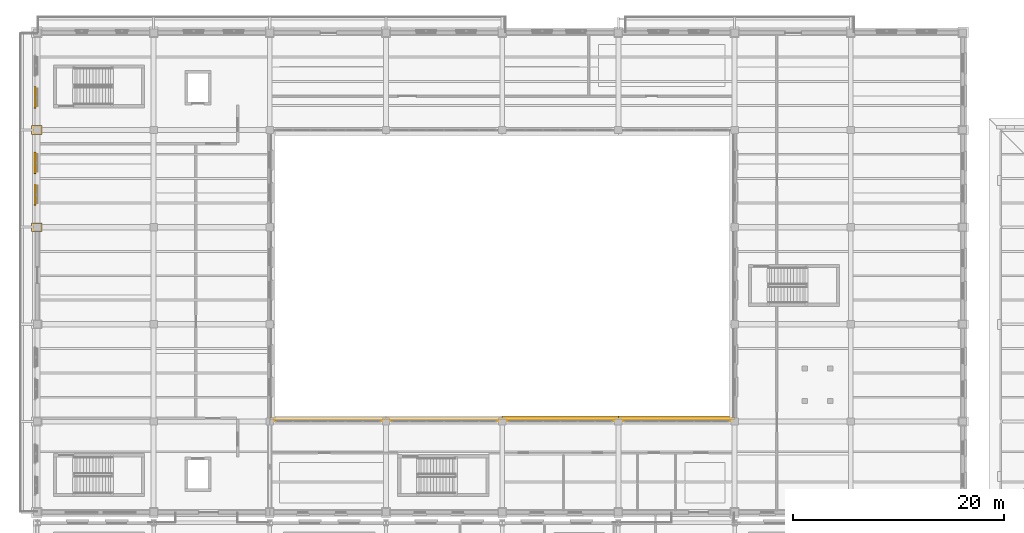
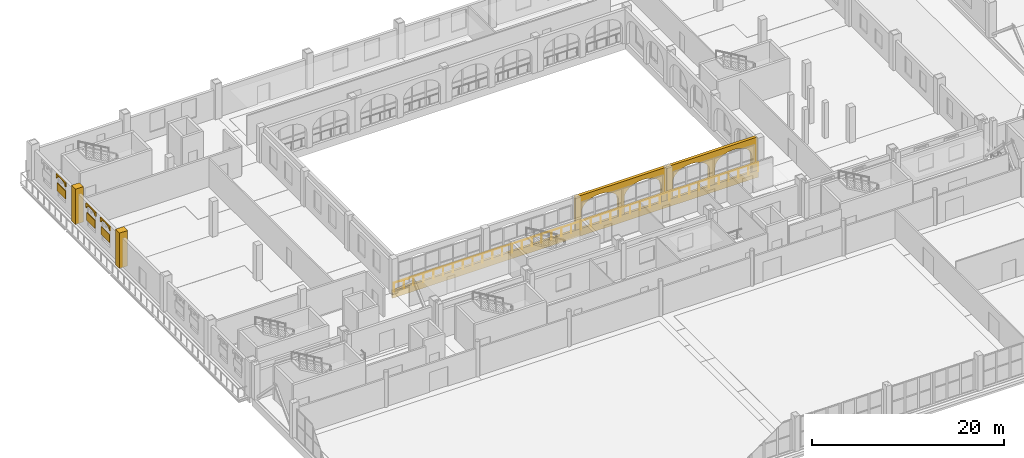
# One storey, part 139 of 156: 8 coverings, 3 shading devices, 1 railing.
"""IFC4 building model written with IfcOpenShell, lengths in metres."""

import ifcopenshell
import ifcopenshell.guid

model = None  # the IFC model being written
_history = None  # IfcOwnerHistory: only IFC2X3 demands one
_inside = {}  # id of a spatial element -> (the spatial element, [elements in it])
_under = {}  # id of a project, library or spatial element -> (it, [spatial elements below it])
_declared = {}  # id of a project -> (the project, [libraries it declares])
_typed = {}  # id of a type object -> (the type object, [elements of that type])
_made_of = {}  # id of a material, layer set ... -> (it, [elements and type objects made of it])


def new_model(schema):
    """Start an empty IFC model of exactly this schema.

    Asked for "IFC4X3", IfcOpenShell would pick the latest addendum, in which some entities
    have other attributes; the version numbers below select the first issue.
    IFC2X3 requires an IfcOwnerHistory on every rooted entity: one is made here for all.
    """
    global model, _history
    if schema == "IFC4X3":
        model = ifcopenshell.file(schema_version=(4, 3, 0, 0))
    else:
        model = ifcopenshell.file(schema=schema)
    _inside.clear()
    _under.clear()
    _declared.clear()
    _typed.clear()
    _made_of.clear()
    _history = None
    if model.schema == "IFC2X3":
        org = make("IfcOrganization", Name="unknown")
        user = make(
            "IfcPersonAndOrganization",
            ThePerson=make("IfcPerson", FamilyName="unknown"),
            TheOrganization=org,
        )
        app = make(
            "IfcApplication",
            ApplicationDeveloper=org,
            Version="unknown",
            ApplicationFullName="unknown",
            ApplicationIdentifier="unknown",
        )
        _history = make(
            "IfcOwnerHistory",
            OwningUser=user,
            OwningApplication=app,
            ChangeAction="ADDED",
            CreationDate=0,
        )
    return model


def make(cls, **values):
    """One entity of the class cls with the attributes given. An attribute that is None is left unset."""
    return model.create_entity(
        cls, **{name: value for name, value in values.items() if value is not None}
    )


def rooted(cls, **values):
    """An entity with a GlobalId (a new one), such as an element, a storey or a relation."""
    return make(cls, GlobalId=ifcopenshell.guid.new(), OwnerHistory=_history, **values)


def si_unit(unit_type, name, prefix=None):
    """IfcSIUnit, for example si_unit("LENGTHUNIT", "METRE", prefix="MILLI")."""
    return make("IfcSIUnit", UnitType=unit_type, Prefix=prefix, Name=name)


def assignment(units):
    """IfcUnitAssignment: the units of a project."""
    return None if units is None else make("IfcUnitAssignment", Units=units)


def point(xyz):
    """IfcCartesianPoint."""
    return None if xyz is None else make("IfcCartesianPoint", Coordinates=xyz)


def direction(xyz):
    """IfcDirection."""
    return None if xyz is None else make("IfcDirection", DirectionRatios=xyz)


def frame(location, z_axis=None, x_axis=None):
    """IfcAxis2Placement3D, a coordinate frame: its origin and axes. An axis left out is left unset."""
    return make(
        "IfcAxis2Placement3D",
        Location=point(location),
        Axis=direction(z_axis),
        RefDirection=direction(x_axis),
    )


def frame_2d(location, x_axis=None):
    """IfcAxis2Placement2D, a coordinate frame in the plane: its origin and x axis."""
    return make(
        "IfcAxis2Placement2D", Location=point(location), RefDirection=direction(x_axis)
    )


def origin():
    """The frame at (0, 0, 0) with its axes left unset."""
    return frame((0.0, 0.0, 0.0))


def origin_2d():
    """The frame at (0, 0) in the plane with its x axis left unset."""
    return frame_2d((0.0, 0.0))


def place(relative_to, where):
    """IfcLocalPlacement: puts the frame where relative to a parent placement (None: the world)."""
    return make(
        "IfcLocalPlacement", PlacementRelTo=relative_to, RelativePlacement=where
    )


def context(
    kind, dimensions, precision=None, world=None, true_north=None, identifier=None
):
    """IfcGeometricRepresentationContext, for example the 3D "Model" context."""
    return make(
        "IfcGeometricRepresentationContext",
        ContextIdentifier=identifier,
        ContextType=kind,
        CoordinateSpaceDimension=dimensions,
        Precision=precision,
        WorldCoordinateSystem=world,
        TrueNorth=true_north,
    )


def subcontext(parent, identifier, kind, view, scale=None):
    """IfcGeometricRepresentationSubContext, for example "Body" below "Model"."""
    return make(
        "IfcGeometricRepresentationSubContext",
        ContextIdentifier=identifier,
        ContextType=kind,
        ParentContext=parent,
        TargetScale=scale,
        TargetView=view,
    )


def project(units=None, contexts=None):
    """IfcProject with its units and contexts."""
    return rooted(
        "IfcProject",
        Name="project",
        RepresentationContexts=contexts,
        UnitsInContext=assignment(units),
    )


def spatial(cls, under=None, at=None, **own):
    """A site, building, storey or space (cls), placed at a placement, below another one or the project."""
    s = rooted(cls, ObjectPlacement=at, **own)
    if under is not None:
        _under.setdefault(under.id(), (under, []))[1].append(s)
    return s


def polyline(points):
    """IfcPolyline through the points."""
    return make("IfcPolyline", Points=[point(p) for p in points])


def profile(cls, at=None, kind="AREA", **sizes):
    """A parametric profile (cls). Its sizes go by their IFC names, for example OverallWidth=200.0."""
    return make(cls, ProfileType=kind, Position=at, **sizes)


def rectangle(**sizes):
    """IfcRectangleProfileDef."""
    return profile("IfcRectangleProfileDef", **sizes)


def circle(**sizes):
    """IfcCircleProfileDef."""
    return profile("IfcCircleProfileDef", **sizes)


def outline(outer, holes=None, kind="AREA"):
    """IfcArbitraryClosedProfileDef: a profile drawn as a closed curve; with holes, ...WithVoids."""
    if holes is None:
        return make("IfcArbitraryClosedProfileDef", ProfileType=kind, OuterCurve=outer)
    return make(
        "IfcArbitraryProfileDefWithVoids",
        ProfileType=kind,
        OuterCurve=outer,
        InnerCurves=holes,
    )


def extrude(swept, where, along, depth):
    """IfcExtrudedAreaSolid: the profile swept, set in the frame where, extruded along a direction by depth."""
    return make(
        "IfcExtrudedAreaSolid",
        SweptArea=swept,
        Position=where,
        ExtrudedDirection=direction(along),
        Depth=depth,
    )


def shape(context_of_items, identifier, shape_type, items):
    """IfcShapeRepresentation: the items that make up one representation, for example the "Body"."""
    return make(
        "IfcShapeRepresentation",
        ContextOfItems=context_of_items,
        RepresentationIdentifier=identifier,
        RepresentationType=shape_type,
        Items=items,
    )


def material(Name=None, Category=None):
    """IfcMaterial."""
    return make("IfcMaterial", Name=Name, Category=Category)


def layer(
    of_material, thickness, ventilated=None, Name=None, Category=None, Priority=None
):
    """IfcMaterialLayer: one layer of a wall or slab, of a material (None: an air gap)."""
    return make(
        "IfcMaterialLayer",
        Material=of_material,
        LayerThickness=thickness,
        IsVentilated=ventilated,
        Name=Name,
        Category=Category,
        Priority=Priority,
    )


def layer_set(layers, Name=None):
    """IfcMaterialLayerSet."""
    return make("IfcMaterialLayerSet", MaterialLayers=layers, LayerSetName=Name)


def made_of(thing, what):
    """Note that an element or type object is made of a material, layer set ...; save() writes the relation."""
    if what is not None:
        _made_of.setdefault(what.id(), (what, []))[1].append(thing)
    return thing


def type_object(cls, material=None, **own):
    """A type object (cls), such as IfcWallType, which elements share."""
    return made_of(rooted(cls, **own), material)


def element(
    cls,
    number,
    at=None,
    inside=None,
    cuts=None,
    type_object=None,
    material=None,
    context=None,
    identifier="Body",
    shape_type=None,
    held_by="IfcProductDefinitionShape",
    body=None,
    shapes=None,
    **own,
):
    """One element of the class cls, such as IfcWall. Its Tag is "e" and its number.

    at: its placement. inside: the storey or other place that contains it. cuts: it is an
    opening in that element (IfcRelVoidsElement). A single representation is given by context,
    identifier, shape_type and body (its items); several are given by shapes. held_by: the class
    of the entity that holds the representations. save() writes the other relations.
    """
    e = rooted(cls, Tag="e%d" % number, ObjectPlacement=at, **own)
    if body is not None:
        shapes = [shape(context, identifier, shape_type, body)]
    if shapes is not None:
        e.Representation = make(held_by, Representations=shapes)
    if inside is not None:
        _inside.setdefault(inside.id(), (inside, []))[1].append(e)
    if cuts is not None:
        rooted(
            "IfcRelVoidsElement", RelatingBuildingElement=cuts, RelatedOpeningElement=e
        )
    if type_object is not None:
        _typed.setdefault(type_object.id(), (type_object, []))[1].append(e)
    return made_of(e, material)


def aggregate(whole, parts):
    """IfcRelAggregates: a whole, such as a stair, and the parts it consists of."""
    return rooted("IfcRelAggregates", RelatingObject=whole, RelatedObjects=parts)


def save(model, path):
    """Write the relations noted so far, then the file.

    IfcRelAggregates (storeys below a building ...), IfcRelContainedInSpatialStructure (elements
    in a storey), IfcRelDefinesByType, IfcRelAssociatesMaterial and IfcRelDeclares: one each for
    every whole, place, type object, material and project.
    """
    for whole, parts in _under.values():
        aggregate(whole, parts)
    for where, things in _inside.values():
        rooted(
            "IfcRelContainedInSpatialStructure",
            RelatedElements=things,
            RelatingStructure=where,
        )
    for kind, things in _typed.values():
        rooted("IfcRelDefinesByType", RelatedObjects=things, RelatingType=kind)
    for what, things in _made_of.values():
        rooted("IfcRelAssociatesMaterial", RelatedObjects=things, RelatingMaterial=what)
    for by, libraries in _declared.values():
        rooted("IfcRelDeclares", RelatingContext=by, RelatedDefinitions=libraries)
    model.write(path)


model = new_model("IFC4")

# Units and contexts
model_context = context("Model", 3, precision=1e-05, world=origin(), true_north=direction((0.0, 1.0)))
body_context = subcontext(model_context, "Body", "Model", "MODEL_VIEW")
ifc_project = project(units=[si_unit("LENGTHUNIT", "METRE"), si_unit("AREAUNIT", "SQUARE_METRE"), si_unit("VOLUMEUNIT", "CUBIC_METRE"), si_unit("PLANEANGLEUNIT", "RADIAN"), si_unit("MASSUNIT", "GRAM", prefix="KILO")], contexts=[model_context])

# Site, building, storey
site_placement = place(None, origin())
site = spatial("IfcSite", under=ifc_project, at=site_placement, CompositionType="ELEMENT")
building_placement = place(site_placement, origin())
building = spatial("IfcBuilding", under=site, at=building_placement, Name="Caurita Quay Ferry Terminal", CompositionType="ELEMENT")
storey_placement = place(building_placement, frame((0.0, 0.0, 5.39990234375)))
storey = spatial("IfcBuildingStorey", under=building, at=storey_placement, Name="L01", CompositionType="ELEMENT", Elevation=5.39990234375)

# Coverings
ifc_material_1 = material(Name="Warm-white lime stucco masonry", Category="masonry")
ifc_layer_1 = layer(ifc_material_1, 0.360107421875, Name="Spanish Colonial semicircular lime-stucco portales arcade 360 mm")
ifc_layer_set_1 = layer_set([ifc_layer_1], Name="Warm-white lime stucco masonry")
covering_type_1 = type_object("IfcCoveringType", Name="COV-ARC-CLD", PredefinedType="CLADDING", material=ifc_layer_set_1)
covering_1_placement = place(storey_placement, frame((44.0, 80.52001953125, 0.0), z_axis=(0.0, 0.0, 1.0), x_axis=(1.0, 0.0, 0.0)))
element("IfcCovering", 1, at=covering_1_placement, inside=storey, type_object=covering_type_1, Name="L01 Courtyard South Cloister Arcade 057", PredefinedType="CLADDING", context=body_context, shape_type="SweptSolid", body=[
    extrude(outline(polyline([(0.0, 0.0), (0.679931640625, 0.0), (0.679931640625, 2.14990234375), (0.75634765625, 2.55126953125), (0.980224609375, 2.925048828125), (1.336181640625, 3.24609375), (1.800048828125, 3.492431640625), (2.34033203125, 3.647216796875), (2.919921875, 3.699951171875), (3.499755859375, 3.647216796875), (4.0400390625, 3.492431640625), (4.50390625, 3.24609375), (4.85986328125, 2.925048828125), (5.083740234375, 2.55126953125), (5.159912109375, 2.14990234375), (5.159912109375, 0.0), (5.840087890625, 0.0), (5.840087890625, 2.14990234375), (5.916259765625, 2.55126953125), (6.14013671875, 2.925048828125), (6.49609375, 3.24609375), (6.9599609375, 3.492431640625), (7.500244140625, 3.647216796875), (8.080078125, 3.699951171875), (8.65966796875, 3.647216796875), (9.199951171875, 3.492431640625), (9.663818359375, 3.24609375), (10.019775390625, 2.925048828125), (10.24365234375, 2.55126953125), (10.320068359375, 2.14990234375), (10.320068359375, 0.0), (11.0, 0.0), (11.0, 4.300048828125), (0.0, 4.300048828125), (0.0, 0.0)])), frame((0.0, 0.18017578125, 0.0), z_axis=(0.0, -1.0, 0.0), x_axis=(1.0, 0.0, 0.0)), (0.0, 0.0, 1.0), 0.360107421875),
])
covering_2_placement = place(storey_placement, frame((55.0, 80.52001953125, 0.0), z_axis=(0.0, 0.0, 1.0), x_axis=(1.0, 0.0, 0.0)))
element("IfcCovering", 2, at=covering_2_placement, inside=storey, type_object=covering_type_1, Name="L01 Courtyard South Cloister Arcade 059", PredefinedType="CLADDING", context=body_context, shape_type="SweptSolid", body=[
    extrude(outline(polyline([(0.0, 0.0), (0.679931640625, 0.0), (0.679931640625, 2.14990234375), (0.755126953125, 2.55126953125), (0.97509765625, 2.925048828125), (1.3251953125, 3.24609375), (1.78125, 3.492431640625), (2.3125, 3.647216796875), (2.882568359375, 3.699951171875), (3.45263671875, 3.647216796875), (3.98388671875, 3.492431640625), (4.43994140625, 3.24609375), (4.7900390625, 2.925048828125), (5.010009765625, 2.55126953125), (5.0849609375, 2.14990234375), (5.0849609375, 0.0), (5.76513671875, 0.0), (5.76513671875, 2.14990234375), (5.840087890625, 2.55126953125), (6.06005859375, 2.925048828125), (6.41015625, 3.24609375), (6.8662109375, 3.492431640625), (7.3974609375, 3.647216796875), (7.967529296875, 3.699951171875), (8.53759765625, 3.647216796875), (9.06884765625, 3.492431640625), (9.52490234375, 3.24609375), (9.875, 2.925048828125), (10.094970703125, 2.55126953125), (10.170166015625, 2.14990234375), (10.170166015625, 0.0), (10.85009765625, 0.0), (10.85009765625, 4.300048828125), (0.0, 4.300048828125), (0.0, 0.0)])), frame((0.0, 0.18017578125, 0.0), z_axis=(0.0, -1.0, 0.0), x_axis=(1.0, 0.0, 0.0)), (0.0, 0.0, 1.0), 0.360107421875),
])
ifc_material_2 = material(Name="Coral stone ashlar cladding", Category="masonry")
ifc_layer_2 = layer(ifc_material_2, 0.239990234375, Name="Classical coral-stone entablature and cornice moulding 240 mm")
ifc_layer_set_2 = layer_set([ifc_layer_2], Name="Coral stone ashlar cladding")
covering_type_2 = type_object("IfcCoveringType", Name="COV-ENT-MLD", PredefinedType="MOLDING", material=ifc_layer_set_2)
covering_3_placement = place(storey_placement, frame((22.0, 80.47998046875, -0.849853515625), z_axis=(0.0, 0.0, 1.0), x_axis=(1.0, 0.0, 0.0)))
element("IfcCovering", 3, at=covering_3_placement, inside=storey, type_object=covering_type_2, Name="L01 Classical Entablature Cornice 019", PredefinedType="MOLDING", context=body_context, shape_type="SweptSolid", body=[
    extrude(rectangle(XDim=44.0, YDim=0.280029296875, at=frame_2d((22.0, 0.0))), origin(), (0.0, 0.0, 1.0), 0.929931640625),
])
ifc_layer_3 = layer(ifc_material_1, 0.179931640625, Name="Classical engaged lime-stucco facade pilaster cladding 180 mm")
ifc_layer_set_3 = layer_set([ifc_layer_3], Name="Warm-white lime stucco masonry")
covering_type_3 = type_object("IfcCoveringType", Name="COV-PIL-CLD", PredefinedType="CLADDING", material=ifc_layer_set_3)
for number, where, z_axis, x_axis, name in (
    (4, (-0.050048828125, 98.60009765625, 0.0), (0.0, 0.0, 1.0), (1.0, 0.0, 0.0), "L01 Classical Engaged Pilaster 0282"),
    (5, (-0.050048828125, 107.800048828125, 0.0), (0.0, 0.0, 1.0), (1.0, 0.0, 0.0), "L01 Classical Engaged Pilaster 0287"),
):
    element("IfcCovering", number, at=place(storey_placement, frame(where, z_axis=z_axis, x_axis=x_axis)), inside=storey, type_object=covering_type_3, Name=name, PredefinedType="CLADDING", context=body_context, shape_type="SweptSolid", body=[
        extrude(rectangle(XDim=0.97998046875, YDim=0.820068359375, at=origin_2d()), origin(), (0.0, 0.0, 1.0), 4.5),
    ])
ifc_layer_4 = layer(ifc_material_2, 0.139892578125, Name="Spanish Colonial semicircular arched window surround 140 mm")
ifc_layer_set_4 = layer_set([ifc_layer_4], Name="Coral stone ashlar cladding")
covering_type_4 = type_object("IfcCoveringType", Name="COV-WHD-MLD", PredefinedType="MOLDING", material=ifc_layer_set_4)
for number, where, z_axis, x_axis, name in (
    (6, (-0.22998046875, 105.679931640625, 3.18017578125), (0.0, 0.0, 1.0), (0.0, -1.0, 0.0), "L01 Arched Window Surround 036"),
    (7, (-0.22998046875, 102.679931640625, 3.18017578125), (0.0, 0.0, 1.0), (0.0, -1.0, 0.0), "L01 Arched Window Surround 037"),
):
    element("IfcCovering", number, at=place(storey_placement, frame(where, z_axis=z_axis, x_axis=x_axis)), inside=storey, type_object=covering_type_4, Name=name, PredefinedType="MOLDING", context=body_context, shape_type="SweptSolid", body=[
        extrude(outline(polyline([(0.0, 0.0), (0.159912109375, 0.0), (0.159912109375, 0.0400390625), (0.201416015625, 0.1650390625), (0.3212890625, 0.278076171875), (0.50830078125, 0.36767578125), (0.743896484375, 0.42529296875), (1.0048828125, 0.445068359375), (1.26611328125, 0.42529296875), (1.501708984375, 0.36767578125), (1.688720703125, 0.278076171875), (1.80859375, 0.1650390625), (1.85009765625, 0.0400390625), (1.85009765625, 0.0), (2.010009765625, 0.0), (2.010009765625, 0.52490234375), (0.0, 0.52490234375), (0.0, 0.0)])), frame((0.0, 0.06982421875, 0.0), z_axis=(0.0, -1.0, 0.0), x_axis=(1.0, 0.0, 0.0)), (0.0, 0.0, 1.0), 0.139892578125),
    ])
covering_4_placement = place(storey_placement, frame((-0.22998046875, 111.8798828125, 3.18017578125), z_axis=(0.0, 0.0, 1.0), x_axis=(0.0, -1.0, 0.0)))
element("IfcCovering", 8, at=covering_4_placement, inside=storey, type_object=covering_type_4, Name="L01 Arched Window Surround 039", PredefinedType="MOLDING", context=body_context, shape_type="SweptSolid", body=[
    extrude(outline(polyline([(0.0, 0.0), (0.159912109375, 0.0), (0.159912109375, 0.0400390625), (0.201416015625, 0.1650390625), (0.3212890625, 0.278076171875), (0.50830078125, 0.36767578125), (0.743896484375, 0.42529296875), (1.0048828125, 0.445068359375), (1.265869140625, 0.42529296875), (1.50146484375, 0.36767578125), (1.6884765625, 0.278076171875), (1.808349609375, 0.1650390625), (1.849853515625, 0.0400390625), (1.849853515625, 0.0), (2.009765625, 0.0), (2.009765625, 0.52490234375), (0.0, 0.52490234375), (0.0, 0.0)])), frame((0.0, 0.06982421875, 0.0), z_axis=(0.0, -1.0, 0.0), x_axis=(1.0, 0.0, 0.0)), (0.0, 0.0, 1.0), 0.139892578125),
])

# Railing
ifc_material_3 = material(Name="Bronze architectural metalwork", Category="metal")
railing_type = type_object("IfcRailingType", Name="RL-REJA-115", PredefinedType="BALUSTRADE", material=ifc_material_3)
railing_placement = place(storey_placement, frame((22.10009765625, 80.25, 0.0)))
element("IfcRailing", 9, at=railing_placement, inside=storey, type_object=railing_type, Name="L01 Courtyard Cloister Guard (082)", PredefinedType="BALUSTRADE", context=body_context, shape_type="SweptSolid", body=[
    extrude(circle(Radius=0.02392578125, at=origin_2d()), frame((0.0, 0.0, 1.1259765625), z_axis=(1.0, 0.0, 0.0), x_axis=(0.0, 1.0, 0.0)), (0.0, 0.0, 1.0), 43.7998046875),
    extrude(circle(Radius=0.02099609375, at=origin_2d()), origin(), (0.0, 0.0, 1.0), 1.101806640625),
    extrude(circle(Radius=0.02099609375, at=origin_2d()), frame((1.183837890625, 0.0, 0.0)), (0.0, 0.0, 1.0), 1.101806640625),
    extrude(circle(Radius=0.02099609375, at=origin_2d()), frame((2.36767578125, 0.0, 0.0)), (0.0, 0.0, 1.0), 1.101806640625),
    extrude(circle(Radius=0.02099609375, at=origin_2d()), frame((3.55126953125, 0.0, 0.0)), (0.0, 0.0, 1.0), 1.101806640625),
    extrude(circle(Radius=0.02099609375, at=origin_2d()), frame((4.735107421875, 0.0, 0.0)), (0.0, 0.0, 1.0), 1.101806640625),
    extrude(circle(Radius=0.02099609375, at=origin_2d()), frame((5.9189453125, 0.0, 0.0)), (0.0, 0.0, 1.0), 1.101806640625),
    extrude(circle(Radius=0.02099609375, at=origin_2d()), frame((7.102783203125, 0.0, 0.0)), (0.0, 0.0, 1.0), 1.101806640625),
    extrude(circle(Radius=0.02099609375, at=origin_2d()), frame((8.286376953125, 0.0, 0.0)), (0.0, 0.0, 1.0), 1.101806640625),
    extrude(circle(Radius=0.02099609375, at=origin_2d()), frame((9.47021484375, 0.0, 0.0)), (0.0, 0.0, 1.0), 1.101806640625),
    extrude(circle(Radius=0.02099609375, at=origin_2d()), frame((10.654052734375, 0.0, 0.0)), (0.0, 0.0, 1.0), 1.101806640625),
    extrude(circle(Radius=0.02099609375, at=origin_2d()), frame((11.837890625, 0.0, 0.0)), (0.0, 0.0, 1.0), 1.101806640625),
    extrude(circle(Radius=0.02099609375, at=origin_2d()), frame((13.021484375, 0.0, 0.0)), (0.0, 0.0, 1.0), 1.101806640625),
    extrude(circle(Radius=0.02099609375, at=origin_2d()), frame((14.205322265625, 0.0, 0.0)), (0.0, 0.0, 1.0), 1.101806640625),
    extrude(circle(Radius=0.02099609375, at=origin_2d()), frame((15.38916015625, 0.0, 0.0)), (0.0, 0.0, 1.0), 1.101806640625),
    extrude(circle(Radius=0.02099609375, at=origin_2d()), frame((16.572998046875, 0.0, 0.0)), (0.0, 0.0, 1.0), 1.101806640625),
    extrude(circle(Radius=0.02099609375, at=origin_2d()), frame((17.756591796875, 0.0, 0.0)), (0.0, 0.0, 1.0), 1.101806640625),
    extrude(circle(Radius=0.02099609375, at=origin_2d()), frame((18.9404296875, 0.0, 0.0)), (0.0, 0.0, 1.0), 1.101806640625),
    extrude(circle(Radius=0.02099609375, at=origin_2d()), frame((20.124267578125, 0.0, 0.0)), (0.0, 0.0, 1.0), 1.101806640625),
    extrude(circle(Radius=0.02099609375, at=origin_2d()), frame((21.30810546875, 0.0, 0.0)), (0.0, 0.0, 1.0), 1.101806640625),
    extrude(circle(Radius=0.02099609375, at=origin_2d()), frame((22.49169921875, 0.0, 0.0)), (0.0, 0.0, 1.0), 1.101806640625),
    extrude(circle(Radius=0.02099609375, at=origin_2d()), frame((23.675537109375, 0.0, 0.0)), (0.0, 0.0, 1.0), 1.101806640625),
    extrude(circle(Radius=0.02099609375, at=origin_2d()), frame((24.859375, 0.0, 0.0)), (0.0, 0.0, 1.0), 1.101806640625),
    extrude(circle(Radius=0.02099609375, at=origin_2d()), frame((26.043212890625, 0.0, 0.0)), (0.0, 0.0, 1.0), 1.101806640625),
    extrude(circle(Radius=0.02099609375, at=origin_2d()), frame((27.226806640625, 0.0, 0.0)), (0.0, 0.0, 1.0), 1.101806640625),
    extrude(circle(Radius=0.02099609375, at=origin_2d()), frame((28.41064453125, 0.0, 0.0)), (0.0, 0.0, 1.0), 1.101806640625),
    extrude(circle(Radius=0.02099609375, at=origin_2d()), frame((29.594482421875, 0.0, 0.0)), (0.0, 0.0, 1.0), 1.101806640625),
    extrude(circle(Radius=0.02099609375, at=origin_2d()), frame((30.7783203125, 0.0, 0.0)), (0.0, 0.0, 1.0), 1.101806640625),
    extrude(circle(Radius=0.02099609375, at=origin_2d()), frame((31.9619140625, 0.0, 0.0)), (0.0, 0.0, 1.0), 1.101806640625),
    extrude(circle(Radius=0.02099609375, at=origin_2d()), frame((33.145751953125, 0.0, 0.0)), (0.0, 0.0, 1.0), 1.101806640625),
    extrude(circle(Radius=0.02099609375, at=origin_2d()), frame((34.32958984375, 0.0, 0.0)), (0.0, 0.0, 1.0), 1.101806640625),
    extrude(circle(Radius=0.02099609375, at=origin_2d()), frame((35.513427734375, 0.0, 0.0)), (0.0, 0.0, 1.0), 1.101806640625),
    extrude(circle(Radius=0.02099609375, at=origin_2d()), frame((36.697021484375, 0.0, 0.0)), (0.0, 0.0, 1.0), 1.101806640625),
    extrude(circle(Radius=0.02099609375, at=origin_2d()), frame((37.880859375, 0.0, 0.0)), (0.0, 0.0, 1.0), 1.101806640625),
    extrude(circle(Radius=0.02099609375, at=origin_2d()), frame((39.064697265625, 0.0, 0.0)), (0.0, 0.0, 1.0), 1.101806640625),
    extrude(circle(Radius=0.02099609375, at=origin_2d()), frame((40.24853515625, 0.0, 0.0)), (0.0, 0.0, 1.0), 1.101806640625),
    extrude(circle(Radius=0.02099609375, at=origin_2d()), frame((41.43212890625, 0.0, 0.0)), (0.0, 0.0, 1.0), 1.101806640625),
    extrude(circle(Radius=0.02099609375, at=origin_2d()), frame((42.615966796875, 0.0, 0.0)), (0.0, 0.0, 1.0), 1.101806640625),
    extrude(circle(Radius=0.02099609375, at=origin_2d()), frame((43.7998046875, 0.0, 0.0)), (0.0, 0.0, 1.0), 1.101806640625),
])

# Shading devices
shading_device_type_1 = type_object("IfcShadingDeviceType", Name="SHD-JAL-01", PredefinedType="JALOUSIE", material=ifc_material_3)
shading_device_placement = place(storey_placement, frame((-0.2080078125, 104.675048828125, 1.56884765625), z_axis=(0.0, 0.0, 1.0), x_axis=(0.0, -1.0, 0.0)))
element("IfcShadingDevice", 10, at=shading_device_placement, inside=storey, type_object=shading_device_type_1, Name="L01 Tropical Window Sun-Breaker 039", PredefinedType="JALOUSIE", context=body_context, shape_type="SweptSolid", body=[
    extrude(rectangle(XDim=1.75, YDim=0.080078125, at=origin_2d()), origin(), (0.0, 0.0, 1.0), 1.012451171875),
])
ifc_material_4 = material(Name="Tropical mahogany hardwood", Category="wood")
shading_device_type_2 = type_object("IfcShadingDeviceType", Name="SHD-SHT-01", PredefinedType="SHUTTER", material=ifc_material_4)
for number, where, z_axis, x_axis, name in (
    (11, (-0.197998046875, 101.675048828125, 1.56884765625), (0.0, 0.0, 1.0), (0.0, -1.0, 0.0), "L01 Tropical Window Sun-Breaker 040"),
    (12, (-0.197998046875, 110.875, 1.56884765625), (0.0, 0.0, 1.0), (0.0, -1.0, 0.0), "L01 Tropical Window Sun-Breaker 042"),
):
    element("IfcShadingDevice", number, at=place(storey_placement, frame(where, z_axis=z_axis, x_axis=x_axis)), inside=storey, type_object=shading_device_type_2, Name=name, PredefinedType="SHUTTER", context=body_context, shape_type="SweptSolid", body=[
        extrude(rectangle(XDim=1.75, YDim=0.06005859375, at=origin_2d()), origin(), (0.0, 0.0, 1.0), 1.012451171875),
    ])

save(model, "model.ifc")
